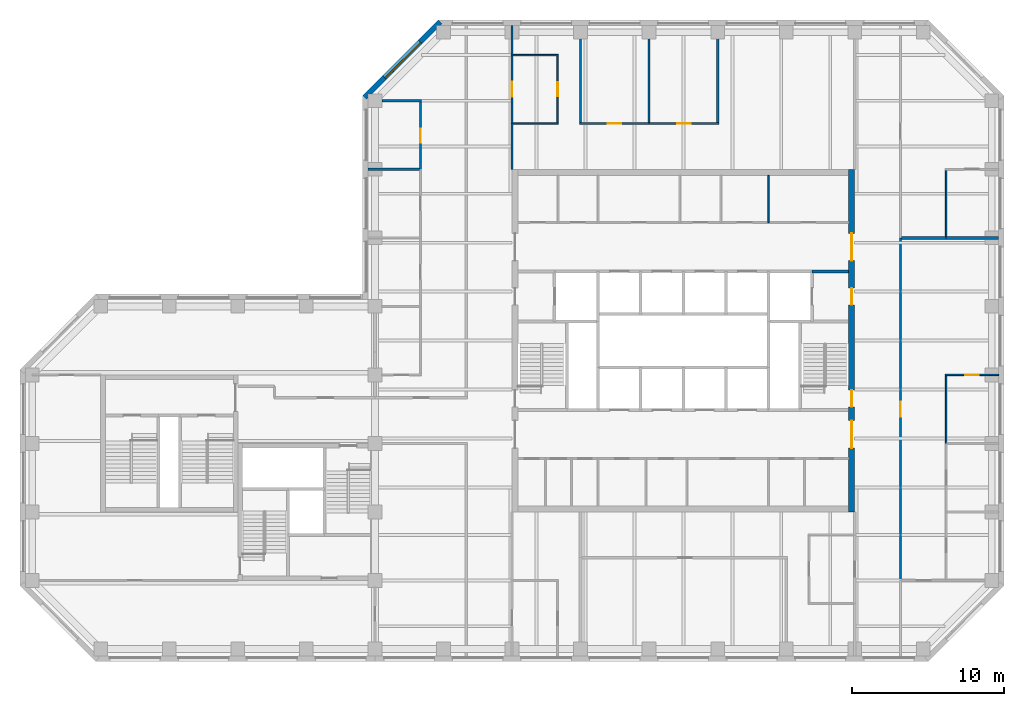
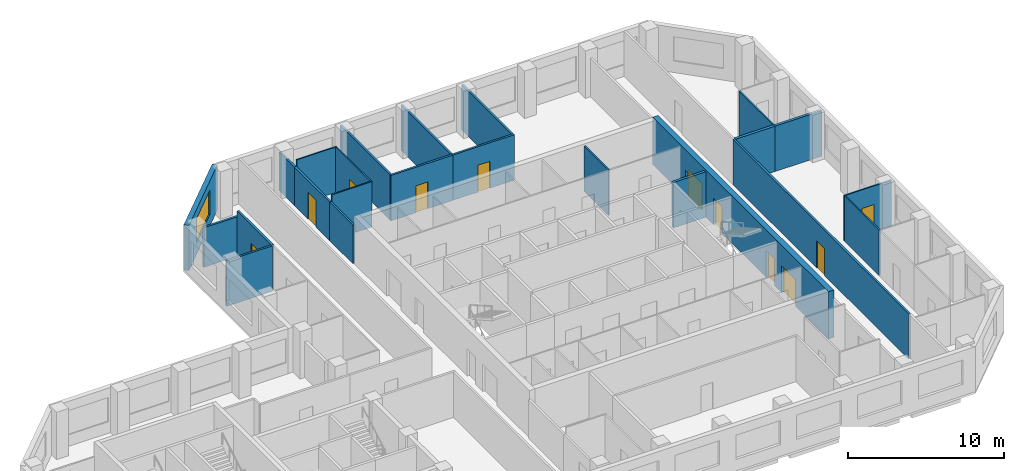
# One storey, part 7 of 10: 24 walls, 11 doors, 1 window, 12 openings.
"""IFC4 building model written with IfcOpenShell, lengths in metres."""

from ifc_helpers import new_model, si_unit, direction, frame, frame_2d, origin, place, context, subcontext, project, spatial, rectangle, extrude, material, layer, layer_set, constituent, constituent_set, type_object, element, fill, save


model = new_model("IFC4")

# Units and contexts
model_context = context("Model", 3, precision=1e-05, world=origin(), true_north=direction((0.0, 1.0)))
body_context = subcontext(model_context, "Body", "Model", "MODEL_VIEW")
ifc_project = project(units=[si_unit("LENGTHUNIT", "METRE"), si_unit("AREAUNIT", "SQUARE_METRE"), si_unit("VOLUMEUNIT", "CUBIC_METRE"), si_unit("PLANEANGLEUNIT", "RADIAN"), si_unit("MASSUNIT", "GRAM", prefix="KILO")], contexts=[model_context])

# Site, building, storey
site_placement = place(None, origin())
site = spatial("IfcSite", under=ifc_project, at=site_placement, CompositionType="ELEMENT")
building_placement = place(site_placement, origin())
building = spatial("IfcBuilding", under=site, at=building_placement, Name="Quoin Convention Tower", CompositionType="ELEMENT")
storey_placement = place(building_placement, frame((0.0, 0.0, 256.300048828125)))
storey = spatial("IfcBuildingStorey", under=building, at=storey_placement, Name="L67", CompositionType="ELEMENT", Elevation=256.300048828125)

# Wall
ifc_material_1 = material(Name="Plasterboard")
ifc_layer_1 = layer(ifc_material_1, 0.012451171875, Name="Finish")
ifc_material_2 = material(Name="Steel stud framing", Category="steel")
ifc_layer_2 = layer(ifc_material_2, 0.125, Name="Structure")
ifc_layer_3 = layer(ifc_material_1, 0.012451171875, Name="Finish")
ifc_layer_set_1 = layer_set([ifc_layer_1, ifc_layer_2, ifc_layer_3], Name="Steel stud framing")
wall_type_1 = type_object("IfcWallType", Name="Acoustic partition 150", PredefinedType="PARTITIONING", material=ifc_layer_set_1)
wall_1_placement = place(storey_placement, frame((35.550048828125, 72.0, 0.0), z_axis=(0.0, 0.0, 1.0), x_axis=(1.0, 0.0, 0.0)))
element("IfcWall", 1, at=wall_1_placement, inside=storey, type_object=wall_type_1, Name="pw-L67-027", PredefinedType="PARTITIONING", context=body_context, shape_type="SweptSolid", body=[
    extrude(rectangle(XDim=3.375, YDim=0.14990234375, at=frame_2d((1.6875, 0.0))), origin(), (0.0, 0.0, 1.0), 3.550048828125),
])

# Wall, opening, door
wall_2_placement = place(storey_placement, frame((49.425048828125, 75.0, 0.0), z_axis=(0.0, 0.0, 1.0), x_axis=(1.0, 0.0, 0.0)))
wall_2 = element("IfcWall", 2, at=wall_2_placement, inside=storey, type_object=wall_type_1, Name="pw-L67-030", PredefinedType="PARTITIONING", context=body_context, shape_type="SweptSolid", body=[
    extrude(rectangle(XDim=4.574951171875, YDim=0.14990234375, at=frame_2d((2.28759765625, 0.0))), origin(), (0.0, 0.0, 1.0), 3.550048828125),
])
opening_1_placement = place(wall_2_placement, frame((1.85009765625, 0.0, 0.0)))
opening_1 = element("IfcOpeningElement", 3, at=opening_1_placement, cuts=wall_2, Name="Opening DOHX-08", PredefinedType="OPENING", context=body_context, shape_type="SweptSolid", body=[
    extrude(rectangle(XDim=0.89990234375, YDim=2.10009765625, at=frame_2d((0.449951171875, 1.050048828125))), frame((0.0, 0.0849609375, 0.0), z_axis=(0.0, -1.0, 0.0), x_axis=(1.0, 0.0, 0.0)), (0.0, 0.0, 1.0), 0.169921875),
])
ifc_material_3 = material(Name="Steel door leaf", Category="steel")
door_type_1 = type_object("IfcDoorType", Name="Office door 900 x 2100", OperationType="SINGLE_SWING_RIGHT", PredefinedType="DOOR", material=ifc_material_3)
door_1_placement = place(opening_1_placement, frame((0.89990234375, 0.0, 0.0), z_axis=(0.0, 0.0, 1.0), x_axis=(-1.0, 0.0, 0.0)))
door_1 = element("IfcDoor", 4, at=door_1_placement, inside=storey, type_object=door_type_1, Name="dr-L67-23", OperationType="SINGLE_SWING_LEFT", OverallHeight=2.10009765625, OverallWidth=0.89990234375, PredefinedType="DOOR", context=body_context, shape_type="SweptSolid", body=[
    extrude(rectangle(XDim=0.89990234375, YDim=2.10009765625, at=frame_2d((0.449951171875, 1.050048828125))), frame((0.0, 0.02490234375, 0.0), z_axis=(0.0, -1.0, 0.0), x_axis=(1.0, 0.0, 0.0)), (0.0, 0.0, 1.0), 0.050048828125),
])
fill(opening_1, door_1)

wall_3_placement = place(storey_placement, frame((54.0, 75.0, 0.0), z_axis=(0.0, 0.0, 1.0), x_axis=(1.0, 0.0, 0.0)))
wall_3 = element("IfcWall", 5, at=wall_3_placement, inside=storey, type_object=wall_type_1, Name="pw-L67-031", PredefinedType="PARTITIONING", context=body_context, shape_type="SweptSolid", body=[
    extrude(rectangle(XDim=4.574951171875, YDim=0.14990234375, at=frame_2d((2.28759765625, 0.0))), origin(), (0.0, 0.0, 1.0), 3.550048828125),
])
opening_2_placement = place(wall_3_placement, frame((1.85009765625, 0.0, 0.0)))
opening_2 = element("IfcOpeningElement", 6, at=opening_2_placement, cuts=wall_3, Name="Opening DOHX-09", PredefinedType="OPENING", context=body_context, shape_type="SweptSolid", body=[
    extrude(rectangle(XDim=0.89990234375, YDim=2.10009765625, at=frame_2d((0.449951171875, 1.050048828125))), frame((0.0, 0.0849609375, 0.0), z_axis=(0.0, -1.0, 0.0), x_axis=(1.0, 0.0, 0.0)), (0.0, 0.0, 1.0), 0.169921875),
])
door_2_placement = place(opening_2_placement, frame((0.89990234375, 0.0, 0.0), z_axis=(0.0, 0.0, 1.0), x_axis=(-1.0, 0.0, 0.0)))
door_2 = element("IfcDoor", 7, at=door_2_placement, inside=storey, type_object=door_type_1, Name="dr-L67-24", OperationType="SINGLE_SWING_LEFT", OverallHeight=2.10009765625, OverallWidth=0.89990234375, PredefinedType="DOOR", context=body_context, shape_type="SweptSolid", body=[
    extrude(rectangle(XDim=0.89990234375, YDim=2.10009765625, at=frame_2d((0.449951171875, 1.050048828125))), frame((0.0, 0.02490234375, 0.0), z_axis=(0.0, -1.0, 0.0), x_axis=(1.0, 0.0, 0.0)), (0.0, 0.0, 1.0), 0.050048828125),
])
fill(opening_2, door_2)

wall_4_placement = place(storey_placement, frame((39.0, 72.0, 0.0), z_axis=(0.0, 0.0, 1.0), x_axis=(0.0, 1.0, 0.0)))
wall_4 = element("IfcWall", 8, at=wall_4_placement, inside=storey, type_object=wall_type_1, Name="pw-L67-072", PredefinedType="PARTITIONING", context=body_context, shape_type="SweptSolid", body=[
    extrude(rectangle(XDim=4.425048828125, YDim=0.14990234375, at=frame_2d((2.21240234375, 0.0))), origin(), (0.0, 0.0, 1.0), 3.550048828125),
])
opening_3_placement = place(wall_4_placement, frame((1.75, 0.0, 0.0)))
opening_3 = element("IfcOpeningElement", 9, at=opening_3_placement, cuts=wall_4, Name="Opening DOHX-21", PredefinedType="OPENING", context=body_context, shape_type="SweptSolid", body=[
    extrude(rectangle(XDim=0.89990234375, YDim=2.10009765625, at=frame_2d((0.449951171875, 1.050048828125))), frame((0.0, 0.0849609375, 0.0), z_axis=(0.0, -1.0, 0.0), x_axis=(1.0, 0.0, 0.0)), (0.0, 0.0, 1.0), 0.169921875),
])
door_3_placement = place(opening_3_placement, frame((0.89990234375, 0.0, 0.0), z_axis=(0.0, 0.0, 1.0), x_axis=(-1.0, 0.0, 0.0)))
door_3 = element("IfcDoor", 10, at=door_3_placement, inside=storey, type_object=door_type_1, Name="dr-L67-15", OperationType="SINGLE_SWING_LEFT", OverallHeight=2.10009765625, OverallWidth=0.89990234375, PredefinedType="DOOR", context=body_context, shape_type="SweptSolid", body=[
    extrude(rectangle(XDim=0.89990234375, YDim=2.10009765625, at=frame_2d((0.449951171875, 1.050048828125))), frame((0.0, 0.02490234375, 0.0), z_axis=(0.0, -1.0, 0.0), x_axis=(1.0, 0.0, 0.0)), (0.0, 0.0, 1.0), 0.050048828125),
])
fill(opening_3, door_3)

# Walls
for number, where, z_axis, x_axis, name in (
    (11, (49.5, 75.074951171875, 0.0), (0.0, 0.0, 1.0), (0.0, 1.0, 0.0), "pw-L67-077"),
    (12, (54.0, 75.074951171875, 0.0), (0.0, 0.0, 1.0), (0.0, 1.0, 0.0), "pw-L67-078"),
    (13, (58.5, 75.074951171875, 0.0), (0.0, 0.0, 1.0), (0.0, 1.0, 0.0), "pw-L67-079"),
):
    element("IfcWall", number, at=place(storey_placement, frame(where, z_axis=z_axis, x_axis=x_axis)), inside=storey, type_object=wall_type_1, Name=name, PredefinedType="PARTITIONING", context=body_context, shape_type="SweptSolid", body=[
        extrude(rectangle(XDim=6.375, YDim=0.14990234375, at=frame_2d((3.1875, 0.0))), origin(), (0.0, 0.0, 1.0), 3.550048828125),
    ])
ifc_layer_4 = layer(ifc_material_1, 0.012451171875, Name="Finish")
ifc_layer_5 = layer(ifc_material_2, 0.125, Name="Structure")
ifc_layer_6 = layer(ifc_material_1, 0.012451171875, Name="Finish")
ifc_layer_set_2 = layer_set([ifc_layer_4, ifc_layer_5, ifc_layer_6], Name="Steel stud framing")
wall_type_2 = type_object("IfcWallType", Name="Acoustic partition 150 under beam 454", PredefinedType="PARTITIONING", material=ifc_layer_set_2)
wall_5_placement = place(storey_placement, frame((36.449951171875, 76.5, 0.0), z_axis=(0.0, 0.0, 1.0), x_axis=(1.0, 0.0, 0.0)))
element("IfcWall", 14, at=wall_5_placement, inside=storey, type_object=wall_type_2, Name="pw-L67-032", PredefinedType="PARTITIONING", context=body_context, shape_type="SweptSolid", body=[
    extrude(rectangle(XDim=2.625, YDim=0.14990234375, at=frame_2d((1.3125, 0.0))), origin(), (0.0, 0.0, 1.0), 3.095947265625),
])

# Wall, opening, window
ifc_material_4 = material(Name="Brick masonry", Category="masonry")
ifc_layer_7 = layer(ifc_material_4, 0.35009765625)
ifc_layer_set_3 = layer_set([ifc_layer_7], Name="Brick masonry")
wall_type_3 = type_object("IfcWallType", Name="Brick facade wall", PredefinedType="STANDARD", material=ifc_layer_set_3)
wall_6_placement = place(storey_placement, frame((40.29248046875, 81.67626953125, 0.0), z_axis=(0.0, 0.0, 1.0), x_axis=(-0.707106781187, -0.707106781187, 0.0)))
wall_6 = element("IfcWall", 15, at=wall_6_placement, inside=storey, type_object=wall_type_3, Name="fw-L67-40500_81000", PredefinedType="STANDARD", context=body_context, shape_type="SweptSolid", body=[
    extrude(rectangle(XDim=7.02685546875, YDim=0.35009765625, at=frame_2d((3.513427734375, 0.0))), origin(), (0.0, 0.0, 1.0), 3.52490234375),
])
opening_4_placement = place(wall_6_placement, frame((1.86328125, 0.0, 0.89990234375)))
opening_4 = element("IfcOpeningElement", 16, at=opening_4_placement, cuts=wall_6, Name="Opening W-02", PredefinedType="OPENING", context=body_context, shape_type="SweptSolid", body=[
    extrude(rectangle(XDim=3.300048828125, YDim=1.89990234375, at=frame_2d((1.64990234375, 0.949951171875))), frame((0.0, 0.18505859375, 0.0), z_axis=(0.0, -1.0, 0.0), x_axis=(1.0, 0.0, 0.0)), (0.0, 0.0, 1.0), 0.3701171875),
])
ifc_material_5 = material(Name="Aluminium", Category="aluminium")
ifc_constituent_1 = constituent(ifc_material_5, Name="Frame")
ifc_material_6 = material(Name="Insulated glass", Category="glass")
ifc_constituent_2 = constituent(ifc_material_6, Name="Glazing")
ifc_constituent_set = constituent_set(constituents=[ifc_constituent_1, ifc_constituent_2], Name="Aluminium")
window_type = type_object("IfcWindowType", Name="Office window", PartitioningType="DOUBLE_PANEL_VERTICAL", PredefinedType="WINDOW", material=ifc_constituent_set)
window_placement = place(opening_4_placement, origin())
window = element("IfcWindow", 17, at=window_placement, inside=storey, type_object=window_type, Name="win-L67-37808_79192", OverallHeight=1.89990234375, OverallWidth=3.300048828125, PartitioningType="SINGLE_PANEL", PredefinedType="WINDOW", context=body_context, shape_type="SweptSolid", body=[
    extrude(rectangle(XDim=3.300048828125, YDim=1.89990234375, at=frame_2d((1.64990234375, 0.949951171875))), frame((0.0, 0.0849609375, 0.0), z_axis=(0.0, -1.0, 0.0), x_axis=(1.0, 0.0, 0.0)), (0.0, 0.0, 1.0), 0.06005859375),
])
fill(opening_4, window)

# Walls
ifc_layer_8 = layer(ifc_material_1, 0.012451171875, Name="Finish")
ifc_layer_9 = layer(ifc_material_2, 0.074951171875, Name="Structure")
ifc_layer_10 = layer(ifc_material_1, 0.012451171875, Name="Finish")
ifc_layer_set_4 = layer_set([ifc_layer_8, ifc_layer_9, ifc_layer_10], Name="Steel stud framing")
wall_type_4 = type_object("IfcWallType", Name="Core partition wall", PredefinedType="PARTITIONING", material=ifc_layer_set_4)
wall_7_placement = place(storey_placement, frame((61.85009765625, 68.5, 0.0), z_axis=(0.0, 0.0, 1.0), x_axis=(0.0, 1.0, 0.0)))
element("IfcWall", 18, at=wall_7_placement, inside=storey, type_object=wall_type_4, Name="cr-C1-L67-v16850_19000", PredefinedType="PARTITIONING", context=body_context, shape_type="SweptSolid", body=[
    extrude(rectangle(XDim=3.10009765625, YDim=0.10009765625, at=frame_2d((1.550048828125, 0.0))), origin(), (0.0, 0.0, 1.0), 3.550048828125),
])
ifc_material_7 = material(Name="Concrete C50", Category="concrete")
ifc_layer_11 = layer(ifc_material_7, 0.199951171875)
ifc_layer_set_5 = layer_set([ifc_layer_11], Name="Concrete C50")
wall_type_5 = type_object("IfcWallType", Name="Core shaft wall", PredefinedType="SOLIDWALL", material=ifc_layer_set_5)
wall_8_placement = place(storey_placement, frame((64.699951171875, 65.300048828125, 0.0), z_axis=(0.0, 0.0, 1.0), x_axis=(1.0, 0.0, 0.0)))
element("IfcWall", 19, at=wall_8_placement, inside=storey, type_object=wall_type_5, Name="cr-C1-L67-h15800_19700", PredefinedType="SOLIDWALL", context=body_context, shape_type="SweptSolid", body=[
    extrude(rectangle(XDim=2.400146484375, YDim=0.199951171875, at=frame_2d((1.2001953125, 0.0))), origin(), (0.0, 0.0, 1.0), 3.550048828125),
])

# Wall, opening, door
ifc_layer_12 = layer(ifc_material_1, 0.012451171875, Name="Finish")
ifc_layer_13 = layer(ifc_material_2, 0.125, Name="Structure")
ifc_layer_14 = layer(ifc_material_1, 0.012451171875, Name="Finish")
ifc_layer_set_6 = layer_set([ifc_layer_12, ifc_layer_13, ifc_layer_14], Name="Steel stud framing")
wall_type_6 = type_object("IfcWallType", Name="Corridor wall 150", PredefinedType="PARTITIONING", material=ifc_layer_set_6)
wall_9_placement = place(storey_placement, frame((70.5, 45.0, 0.0), z_axis=(0.0, 0.0, 1.0), x_axis=(0.0, 1.0, 0.0)))
wall_9 = element("IfcWall", 20, at=wall_9_placement, inside=storey, type_object=wall_type_6, Name="pw-L67-047", PredefinedType="PARTITIONING", context=body_context, shape_type="SweptSolid", body=[
    extrude(rectangle(XDim=22.5, YDim=0.14990234375, at=frame_2d((11.25, 0.0))), origin(), (0.0, 0.0, 1.0), 3.550048828125),
])
opening_5_placement = place(wall_9_placement, frame((10.75, 0.0, 0.0)))
opening_5 = element("IfcOpeningElement", 21, at=opening_5_placement, cuts=wall_9, Name="Opening DOHX-15", PredefinedType="OPENING", context=body_context, shape_type="SweptSolid", body=[
    extrude(rectangle(XDim=1.0, YDim=2.10009765625, at=frame_2d((0.5, 1.050048828125))), frame((0.0, 0.0849609375, 0.0), z_axis=(0.0, -1.0, 0.0), x_axis=(1.0, 0.0, 0.0)), (0.0, 0.0, 1.0), 0.169921875),
])
door_type_2 = type_object("IfcDoorType", Name="Tenancy entrance door 1000 x 2100", OperationType="DOUBLE_DOOR_SINGLE_SWING", PredefinedType="DOOR", material=ifc_material_3)
door_4_placement = place(opening_5_placement, frame((1.0, 0.0, 0.0), z_axis=(0.0, 0.0, 1.0), x_axis=(-1.0, 0.0, 0.0)))
door_4 = element("IfcDoor", 22, at=door_4_placement, inside=storey, type_object=door_type_2, Name="dr-L67-25", OperationType="DOUBLE_DOOR_SINGLE_SWING", OverallHeight=2.10009765625, OverallWidth=1.0, PredefinedType="DOOR", context=body_context, shape_type="SweptSolid", body=[
    extrude(rectangle(XDim=1.0, YDim=2.10009765625, at=frame_2d((0.5, 1.050048828125))), frame((0.0, 0.02490234375, 0.0), z_axis=(0.0, -1.0, 0.0), x_axis=(1.0, 0.0, 0.0)), (0.0, 0.0, 1.0), 0.050048828125),
])
fill(opening_5, door_4)

# Wall
ifc_layer_15 = layer(ifc_material_1, 0.012451171875, Name="Finish")
ifc_layer_16 = layer(ifc_material_2, 0.125, Name="Structure")
ifc_layer_17 = layer(ifc_material_1, 0.012451171875, Name="Finish")
ifc_layer_set_7 = layer_set([ifc_layer_15, ifc_layer_16, ifc_layer_17], Name="Steel stud framing")
wall_type_7 = type_object("IfcWallType", Name="Corridor wall 150 under beam 528", PredefinedType="PARTITIONING", material=ifc_layer_set_7)
wall_10_placement = place(storey_placement, frame((45.0, 72.0, 0.0), z_axis=(0.0, 0.0, 1.0), x_axis=(0.0, 1.0, 0.0)))
element("IfcWall", 23, at=wall_10_placement, inside=storey, type_object=wall_type_7, Name="pw-L67-073", PredefinedType="PARTITIONING", context=body_context, shape_type="SweptSolid", body=[
    extrude(rectangle(XDim=3.0, YDim=0.14990234375, at=frame_2d((1.5, 0.0))), origin(), (0.0, 0.0, 1.0), 3.02197265625),
])

# Wall, opening, door
wall_11_placement = place(storey_placement, frame((45.0, 75.0, 0.0), z_axis=(0.0, 0.0, 1.0), x_axis=(0.0, 1.0, 0.0)))
wall_11 = element("IfcWall", 24, at=wall_11_placement, inside=storey, type_object=wall_type_7, Name="pw-L67-075", PredefinedType="PARTITIONING", context=body_context, shape_type="SweptSolid", body=[
    extrude(rectangle(XDim=4.5, YDim=0.14990234375, at=frame_2d((2.25, 0.0))), origin(), (0.0, 0.0, 1.0), 3.02197265625),
])
opening_6_placement = place(wall_11_placement, frame((1.75, 0.0, 0.0)))
opening_6 = element("IfcOpeningElement", 25, at=opening_6_placement, cuts=wall_11, Name="Opening DOHX-22", PredefinedType="OPENING", context=body_context, shape_type="SweptSolid", body=[
    extrude(rectangle(XDim=1.0, YDim=2.10009765625, at=frame_2d((0.5, 1.050048828125))), frame((0.0, 0.0849609375, 0.0), z_axis=(0.0, -1.0, 0.0), x_axis=(1.0, 0.0, 0.0)), (0.0, 0.0, 1.0), 0.169921875),
])
door_5_placement = place(opening_6_placement, frame((1.0, 0.0, 0.0), z_axis=(0.0, 0.0, 1.0), x_axis=(-1.0, 0.0, 0.0)))
door_5 = element("IfcDoor", 26, at=door_5_placement, inside=storey, type_object=door_type_2, Name="dr-L67-21", OperationType="DOUBLE_DOOR_SINGLE_SWING", OverallHeight=2.10009765625, OverallWidth=1.0, PredefinedType="DOOR", context=body_context, shape_type="SweptSolid", body=[
    extrude(rectangle(XDim=1.0, YDim=2.10009765625, at=frame_2d((0.5, 1.050048828125))), frame((0.0, 0.02490234375, 0.0), z_axis=(0.0, -1.0, 0.0), x_axis=(1.0, 0.0, 0.0)), (0.0, 0.0, 1.0), 0.050048828125),
])
fill(opening_6, door_5)

# Wall
wall_12_placement = place(storey_placement, frame((45.0, 79.5, 0.0), z_axis=(0.0, 0.0, 1.0), x_axis=(0.0, 1.0, 0.0)))
element("IfcWall", 27, at=wall_12_placement, inside=storey, type_object=wall_type_7, Name="pw-L67-080", PredefinedType="PARTITIONING", context=body_context, shape_type="SweptSolid", body=[
    extrude(rectangle(XDim=1.949951171875, YDim=0.14990234375, at=frame_2d((0.97509765625, 0.0))), origin(), (0.0, 0.0, 1.0), 3.02197265625),
])

# Wall, openings, doors
ifc_layer_18 = layer(ifc_material_7, 0.39990234375)
ifc_layer_set_8 = layer_set([ifc_layer_18], Name="Concrete C50")
wall_type_8 = type_object("IfcWallType", Name="RC CORE WALL 400 C50", PredefinedType="SHEAR", material=ifc_layer_set_8)
wall_13_placement = place(storey_placement, frame((67.300048828125, 49.5, 0.0), z_axis=(0.0, 0.0, 1.0), x_axis=(0.0, 1.0, 0.0)))
wall_13 = element("IfcWall", 28, at=wall_13_placement, inside=storey, type_object=wall_type_8, Name="cwl-C1-L67-E", PredefinedType="SHEAR", context=body_context, shape_type="SweptSolid", body=[
    extrude(rectangle(XDim=22.5, YDim=0.39990234375, at=frame_2d((11.25, 0.0))), origin(), (0.0, 0.0, 1.0), 3.699951171875),
])
opening_7_placement = place(wall_13_placement, frame((4.199951171875, 0.0, 0.0)))
opening_7 = element("IfcOpeningElement", 29, at=opening_7_placement, cuts=wall_13, Name="Opening DCV5-48", PredefinedType="OPENING", context=body_context, shape_type="SweptSolid", body=[
    extrude(rectangle(XDim=1.800048828125, YDim=2.10009765625, at=frame_2d((0.89990234375, 1.050048828125))), frame((0.0, 0.2099609375, 0.0), z_axis=(0.0, -1.0, 0.0), x_axis=(1.0, 0.0, 0.0)), (0.0, 0.0, 1.0), 0.419921875),
])
opening_8_placement = place(wall_13_placement, frame((6.89990234375, 0.0, 0.0)))
opening_8 = element("IfcOpeningElement", 30, at=opening_8_placement, cuts=wall_13, Name="Opening SD2", PredefinedType="OPENING", context=body_context, shape_type="SweptSolid", body=[
    extrude(rectangle(XDim=1.10009765625, YDim=2.10009765625, at=frame_2d((0.550048828125, 1.050048828125))), frame((0.0, 0.2099609375, 0.0), z_axis=(0.0, -1.0, 0.0), x_axis=(1.0, 0.0, 0.0)), (0.0, 0.0, 1.0), 0.419921875),
])
opening_9_placement = place(wall_13_placement, frame((13.60009765625, 0.0, 0.0)))
opening_9 = element("IfcOpeningElement", 31, at=opening_9_placement, cuts=wall_13, Name="Opening DCV5-47", PredefinedType="OPENING", context=body_context, shape_type="SweptSolid", body=[
    extrude(rectangle(XDim=1.10009765625, YDim=2.10009765625, at=frame_2d((0.550048828125, 1.050048828125))), frame((0.0, 0.2099609375, 0.0), z_axis=(0.0, -1.0, 0.0), x_axis=(1.0, 0.0, 0.0)), (0.0, 0.0, 1.0), 0.419921875),
])
opening_10_placement = place(wall_13_placement, frame((16.5, 0.0, 0.0)))
opening_10 = element("IfcOpeningElement", 32, at=opening_10_placement, cuts=wall_13, Name="Opening DCV5-48", PredefinedType="OPENING", context=body_context, shape_type="SweptSolid", body=[
    extrude(rectangle(XDim=1.800048828125, YDim=2.10009765625, at=frame_2d((0.89990234375, 1.050048828125))), frame((0.0, 0.2099609375, 0.0), z_axis=(0.0, -1.0, 0.0), x_axis=(1.0, 0.0, 0.0)), (0.0, 0.0, 1.0), 0.419921875),
])
door_type_3 = type_object("IfcDoorType", Name="Fire-fighting lobby door 1100 x 2100", OperationType="SINGLE_SWING_LEFT", PredefinedType="DOOR", material=ifc_material_3)
door_6_placement = place(opening_9_placement, origin())
door_6 = element("IfcDoor", 33, at=door_6_placement, inside=storey, type_object=door_type_3, Name="cd-C1-L67-FFE-E", OperationType="SINGLE_SWING_RIGHT", OverallHeight=2.10009765625, OverallWidth=1.10009765625, PredefinedType="DOOR", context=body_context, shape_type="SweptSolid", body=[
    extrude(rectangle(XDim=1.10009765625, YDim=2.10009765625, at=frame_2d((0.550048828125, 1.050048828125))), frame((0.0, 0.02490234375, 0.0), z_axis=(0.0, -1.0, 0.0), x_axis=(1.0, 0.0, 0.0)), (0.0, 0.0, 1.0), 0.050048828125),
])
fill(opening_9, door_6)
door_type_4 = type_object("IfcDoorType", Name="Lift lobby door 1800 x 2100", OperationType="SINGLE_SWING_LEFT", PredefinedType="DOOR", material=ifc_material_3)
door_7_placement = place(opening_7_placement, origin())
door_7 = element("IfcDoor", 34, at=door_7_placement, inside=storey, type_object=door_type_4, Name="cd-C1-L67-lobA-E", OperationType="SINGLE_SWING_RIGHT", OverallHeight=2.10009765625, OverallWidth=1.800048828125, PredefinedType="DOOR", context=body_context, shape_type="SweptSolid", body=[
    extrude(rectangle(XDim=1.800048828125, YDim=2.10009765625, at=frame_2d((0.89990234375, 1.050048828125))), frame((0.0, 0.02490234375, 0.0), z_axis=(0.0, -1.0, 0.0), x_axis=(1.0, 0.0, 0.0)), (0.0, 0.0, 1.0), 0.050048828125),
])
fill(opening_7, door_7)
door_8_placement = place(opening_10_placement, origin())
door_8 = element("IfcDoor", 35, at=door_8_placement, inside=storey, type_object=door_type_4, Name="cd-C1-L67-lobB-E", OperationType="SINGLE_SWING_RIGHT", OverallHeight=2.10009765625, OverallWidth=1.800048828125, PredefinedType="DOOR", context=body_context, shape_type="SweptSolid", body=[
    extrude(rectangle(XDim=1.800048828125, YDim=2.10009765625, at=frame_2d((0.89990234375, 1.050048828125))), frame((0.0, 0.02490234375, 0.0), z_axis=(0.0, -1.0, 0.0), x_axis=(1.0, 0.0, 0.0)), (0.0, 0.0, 1.0), 0.050048828125),
])
fill(opening_10, door_8)
door_type_5 = type_object("IfcDoorType", Name="Stair door 1100 x 2100", OperationType="SINGLE_SWING_RIGHT", PredefinedType="DOOR", material=ifc_material_3)
door_9_placement = place(opening_8_placement, origin())
door_9 = element("IfcDoor", 36, at=door_9_placement, inside=storey, type_object=door_type_5, Name="cd-C1-L67-STE-E", OperationType="SINGLE_SWING_LEFT", OverallHeight=2.10009765625, OverallWidth=1.10009765625, PredefinedType="DOOR", context=body_context, shape_type="SweptSolid", body=[
    extrude(rectangle(XDim=1.10009765625, YDim=2.10009765625, at=frame_2d((0.550048828125, 1.050048828125))), frame((0.0, 0.02490234375, 0.0), z_axis=(0.0, -1.0, 0.0), x_axis=(1.0, 0.0, 0.0)), (0.0, 0.0, 1.0), 0.050048828125),
])
fill(opening_8, door_9)

# Wall, opening, door
ifc_layer_19 = layer(ifc_material_1, 0.012451171875, Name="Finish")
ifc_layer_20 = layer(ifc_material_2, 0.074951171875, Name="Structure")
ifc_layer_21 = layer(ifc_material_1, 0.012451171875, Name="Finish")
ifc_layer_set_9 = layer_set([ifc_layer_19, ifc_layer_20, ifc_layer_21], Name="Steel stud framing")
wall_type_9 = type_object("IfcWallType", Name="Stud partition 100", PredefinedType="PARTITIONING", material=ifc_layer_set_9)
wall_14_placement = place(storey_placement, frame((73.449951171875, 58.5, 0.0), z_axis=(0.0, 0.0, 1.0), x_axis=(1.0, 0.0, 0.0)))
wall_14 = element("IfcWall", 37, at=wall_14_placement, inside=storey, type_object=wall_type_9, Name="pw-L67-019", PredefinedType="PARTITIONING", context=body_context, shape_type="SweptSolid", body=[
    extrude(rectangle(XDim=3.5, YDim=0.10009765625, at=frame_2d((1.75, 0.0))), origin(), (0.0, 0.0, 1.0), 3.550048828125),
])
opening_11_placement = place(wall_14_placement, frame((1.300048828125, 0.0, 0.0)))
opening_11 = element("IfcOpeningElement", 38, at=opening_11_placement, cuts=wall_14, Name="Opening DOHX-06", PredefinedType="OPENING", context=body_context, shape_type="SweptSolid", body=[
    extrude(rectangle(XDim=0.89990234375, YDim=2.10009765625, at=frame_2d((0.449951171875, 1.050048828125))), frame((0.0, 0.06005859375, 0.0), z_axis=(0.0, -1.0, 0.0), x_axis=(1.0, 0.0, 0.0)), (0.0, 0.0, 1.0), 0.1201171875),
])
door_10_placement = place(opening_11_placement, origin())
door_10 = element("IfcDoor", 39, at=door_10_placement, inside=storey, type_object=door_type_1, Name="dr-L67-29", OperationType="SINGLE_SWING_RIGHT", OverallHeight=2.10009765625, OverallWidth=0.89990234375, PredefinedType="DOOR", context=body_context, shape_type="SweptSolid", body=[
    extrude(rectangle(XDim=0.89990234375, YDim=2.10009765625, at=frame_2d((0.449951171875, 1.050048828125))), frame((0.0, 0.02490234375, 0.0), z_axis=(0.0, -1.0, 0.0), x_axis=(1.0, 0.0, 0.0)), (0.0, 0.0, 1.0), 0.050048828125),
])
fill(opening_11, door_10)

# Walls
for number, where, z_axis, x_axis, name in (
    (40, (45.074951171875, 75.0, 0.0), (0.0, 0.0, 1.0), (1.0, 0.0, 0.0), "pw-L67-029"),
    (41, (45.074951171875, 79.5, 0.0), (0.0, 0.0, 1.0), (1.0, 0.0, 0.0), "pw-L67-033"),
):
    element("IfcWall", number, at=place(storey_placement, frame(where, z_axis=z_axis, x_axis=x_axis)), inside=storey, type_object=wall_type_9, Name=name, PredefinedType="PARTITIONING", context=body_context, shape_type="SweptSolid", body=[
        extrude(rectangle(XDim=2.97509765625, YDim=0.10009765625, at=frame_2d((1.487548828125, 0.0))), origin(), (0.0, 0.0, 1.0), 3.550048828125),
    ])
wall_15_placement = place(storey_placement, frame((73.5, 54.0, 0.0), z_axis=(0.0, 0.0, 1.0), x_axis=(0.0, 1.0, 0.0)))
element("IfcWall", 42, at=wall_15_placement, inside=storey, type_object=wall_type_9, Name="pw-L67-057", PredefinedType="PARTITIONING", context=body_context, shape_type="SweptSolid", body=[
    extrude(rectangle(XDim=4.449951171875, YDim=0.10009765625, at=frame_2d((2.22509765625, 0.0))), origin(), (0.0, 0.0, 1.0), 3.550048828125),
])
wall_16_placement = place(storey_placement, frame((73.5, 67.60009765625, 0.0), z_axis=(0.0, 0.0, 1.0), x_axis=(0.0, 1.0, 0.0)))
element("IfcWall", 43, at=wall_16_placement, inside=storey, type_object=wall_type_9, Name="pw-L67-071", PredefinedType="PARTITIONING", context=body_context, shape_type="SweptSolid", body=[
    extrude(rectangle(XDim=4.349853515625, YDim=0.10009765625, at=frame_2d((2.1748046875, 0.0))), origin(), (0.0, 0.0, 1.0), 3.550048828125),
])

# Wall, opening, door
wall_17_placement = place(storey_placement, frame((48.0, 75.050048828125, 0.0), z_axis=(0.0, 0.0, 1.0), x_axis=(0.0, 1.0, 0.0)))
wall_17 = element("IfcWall", 44, at=wall_17_placement, inside=storey, type_object=wall_type_9, Name="pw-L67-076", PredefinedType="PARTITIONING", context=body_context, shape_type="SweptSolid", body=[
    extrude(rectangle(XDim=4.39990234375, YDim=0.10009765625, at=frame_2d((2.199951171875, 0.0))), origin(), (0.0, 0.0, 1.0), 3.550048828125),
])
opening_12_placement = place(wall_17_placement, frame((1.75, 0.0, 0.0)))
opening_12 = element("IfcOpeningElement", 45, at=opening_12_placement, cuts=wall_17, Name="Opening DOHX-23", PredefinedType="OPENING", context=body_context, shape_type="SweptSolid", body=[
    extrude(rectangle(XDim=0.89990234375, YDim=2.10009765625, at=frame_2d((0.449951171875, 1.050048828125))), frame((0.0, 0.06005859375, 0.0), z_axis=(0.0, -1.0, 0.0), x_axis=(1.0, 0.0, 0.0)), (0.0, 0.0, 1.0), 0.1201171875),
])
door_11_placement = place(opening_12_placement, frame((0.89990234375, 0.0, 0.0), z_axis=(0.0, 0.0, 1.0), x_axis=(-1.0, 0.0, 0.0)))
door_11 = element("IfcDoor", 46, at=door_11_placement, inside=storey, type_object=door_type_1, Name="dr-L67-22", OperationType="SINGLE_SWING_LEFT", OverallHeight=2.10009765625, OverallWidth=0.89990234375, PredefinedType="DOOR", context=body_context, shape_type="SweptSolid", body=[
    extrude(rectangle(XDim=0.89990234375, YDim=2.10009765625, at=frame_2d((0.449951171875, 1.050048828125))), frame((0.0, 0.02490234375, 0.0), z_axis=(0.0, -1.0, 0.0), x_axis=(1.0, 0.0, 0.0)), (0.0, 0.0, 1.0), 0.050048828125),
])
fill(opening_12, door_11)

# Walls
ifc_layer_22 = layer(ifc_material_1, 0.012451171875, Name="Finish")
ifc_layer_23 = layer(ifc_material_2, 0.175048828125, Name="Structure")
ifc_layer_24 = layer(ifc_material_1, 0.012451171875, Name="Finish")
ifc_layer_set_10 = layer_set([ifc_layer_22, ifc_layer_23, ifc_layer_24], Name="Steel stud framing")
wall_type_10 = type_object("IfcWallType", Name="Tenancy demising wall 200", PredefinedType="PARTITIONING", material=ifc_layer_set_10)
wall_18_placement = place(storey_placement, frame((70.574951171875, 67.5, 0.0), z_axis=(0.0, 0.0, 1.0), x_axis=(1.0, 0.0, 0.0)))
element("IfcWall", 47, at=wall_18_placement, inside=storey, type_object=wall_type_10, Name="pw-L67-025", PredefinedType="PARTITIONING", context=body_context, shape_type="SweptSolid", body=[
    extrude(rectangle(XDim=2.925048828125, YDim=0.199951171875, at=frame_2d((1.46240234375, 0.0))), origin(), (0.0, 0.0, 1.0), 3.550048828125),
])
wall_19_placement = place(storey_placement, frame((73.5, 67.5, 0.0), z_axis=(0.0, 0.0, 1.0), x_axis=(1.0, 0.0, 0.0)))
element("IfcWall", 48, at=wall_19_placement, inside=storey, type_object=wall_type_10, Name="pw-L67-026", PredefinedType="PARTITIONING", context=body_context, shape_type="SweptSolid", body=[
    extrude(rectangle(XDim=3.449951171875, YDim=0.199951171875, at=frame_2d((1.72509765625, 0.0))), origin(), (0.0, 0.0, 1.0), 3.550048828125),
])

save(model, "model.ifc")
